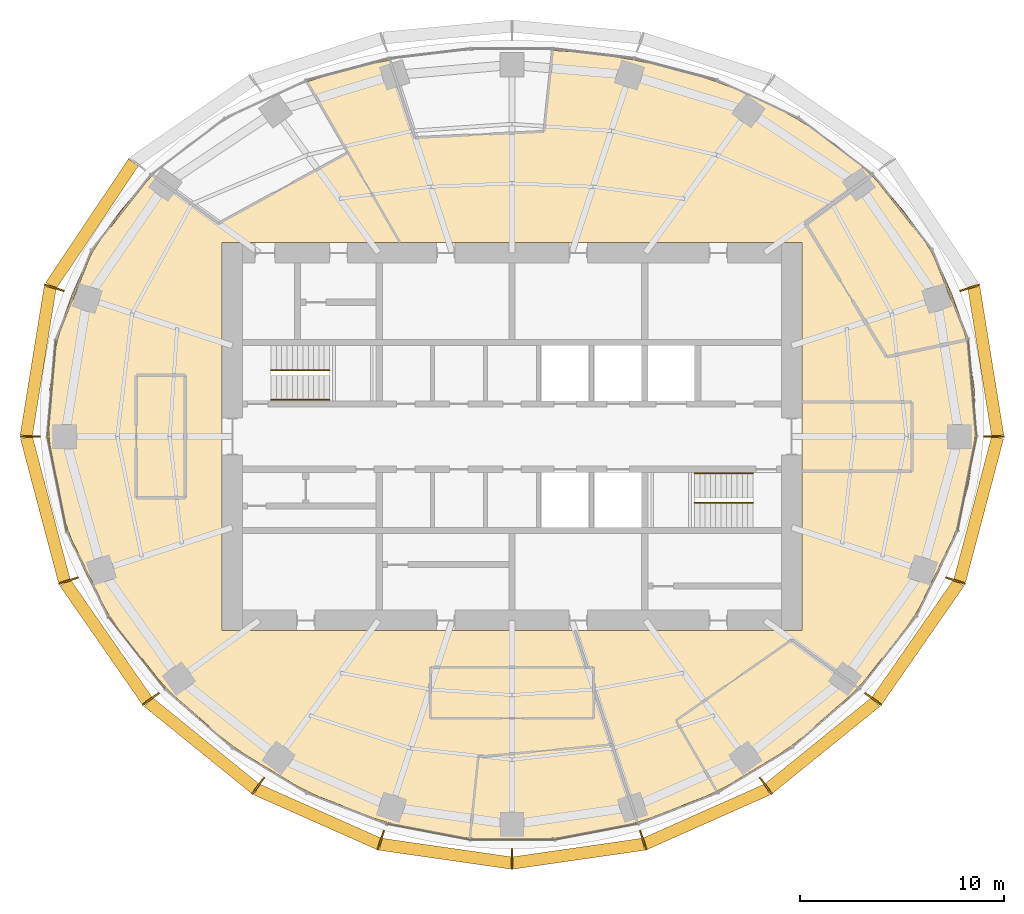
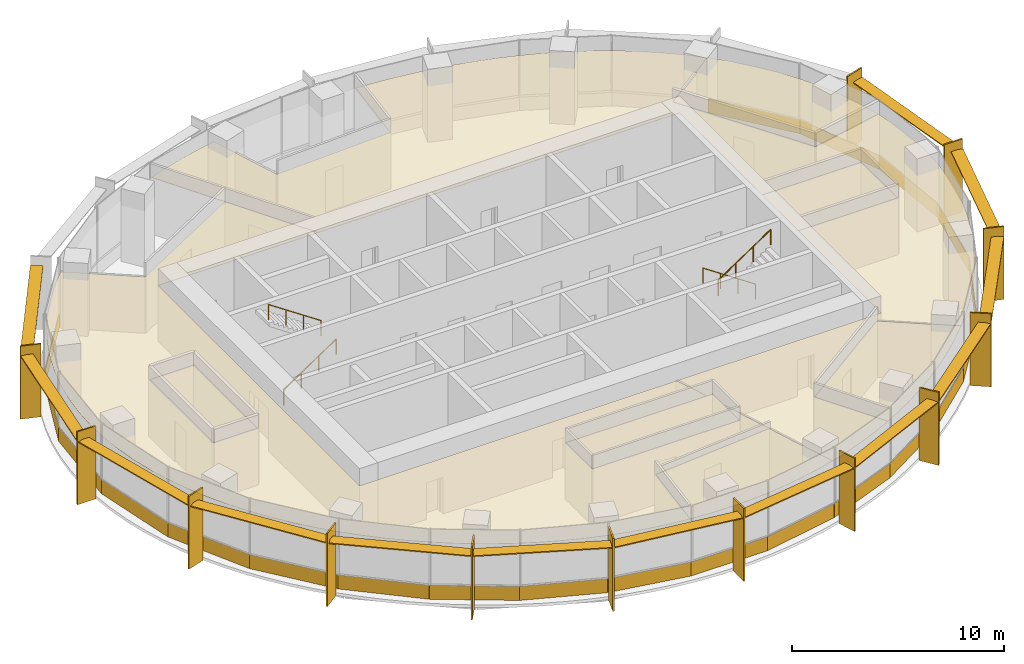
# One storey, part 12 of 13: 29 coverings, 26 shading devices, 4 railings.
"""IFC4 building model written with IfcOpenShell, lengths in metres."""

from ifc_helpers import new_model, si_unit, direction, frame, origin, origin_2d, place, context, subcontext, project, spatial, polyline, rectangle, circle, outline, extrude, material, layer, layer_set, type_object, element, save


model = new_model("IFC4")

# Units and contexts
model_context = context("Model", 3, precision=1e-05, world=origin(), true_north=direction((0.0, 1.0)))
body_context = subcontext(model_context, "Body", "Model", "MODEL_VIEW")
ifc_project = project(units=[si_unit("LENGTHUNIT", "METRE"), si_unit("AREAUNIT", "SQUARE_METRE"), si_unit("VOLUMEUNIT", "CUBIC_METRE"), si_unit("PLANEANGLEUNIT", "RADIAN"), si_unit("MASSUNIT", "GRAM", prefix="KILO")], contexts=[model_context])

# Site, building, storey
site_placement = place(None, origin())
site = spatial("IfcSite", under=ifc_project, at=site_placement, CompositionType="ELEMENT")
building_placement = place(site_placement, origin())
building = spatial("IfcBuilding", under=site, at=building_placement, Name="Marramba Exchange Tower", CompositionType="ELEMENT")
storey_placement = place(building_placement, frame((0.0, 0.0, 260.199951171875)))
storey = spatial("IfcBuildingStorey", under=building, at=storey_placement, Name="L63", CompositionType="ELEMENT", Elevation=260.199951171875)

# Shading devices
ifc_material_1 = material(Name="Aluminium blade, timber-look bronze finish", Category="wood")
ifc_layer_1 = layer(ifc_material_1, 0.080078125)
ifc_layer_set_1 = layer_set([ifc_layer_1], Name="Floor-edge blade 1000x80")
shading_device_type_1 = type_object("IfcShadingDeviceType", Name="Floor-edge blade 1000x80", PredefinedType="USERDEFINED", material=ifc_layer_set_1)
for number, where, z_axis, x_axis, name in (
    (1, (23.60009765625, 0.0, -0.16015625), (0.0, 0.0, 1.0), (1.0, 0.0, 0.0), "Floor-edge blade FB1 L63 TC01"),
    (2, (22.425048828125, 7.286376953125, -0.16015625), (0.0, 0.0, 1.0), (0.951056516295, 0.309016994375, 0.0), "Floor-edge blade FB1 L63 TC02"),
    (3, (-22.425048828125, 7.286376953125, -0.16015625), (0.0, 0.0, 1.0), (-0.951056516295, 0.309016994375, 0.0), "Floor-edge blade FB1 L63 TC10"),
    (4, (-23.60009765625, 0.0, -0.16015625), (0.0, 0.0, 1.0), (-1.0, 0.0, 0.0), "Floor-edge blade FB1 L63 TC11"),
    (5, (-21.72607421875, -7.059326171875, -0.16015625), (0.0, 0.0, 1.0), (-0.951056516295, -0.309016994375, 0.0), "Floor-edge blade FB1 L63 TC12"),
    (6, (-17.690673828125, -12.85302734375, -0.16015625), (0.0, 0.0, 1.0), (-0.809016994375, -0.587785252292, 0.0), "Floor-edge blade FB1 L63 TC13"),
    (7, (-12.4296875, -17.10791015625, -0.16015625), (0.0, 0.0, 1.0), (-0.587785252292, -0.809016994375, 0.0), "Floor-edge blade FB1 L63 TC14"),
    (8, (-6.4248046875, -19.77392578125, -0.16015625), (0.0, 0.0, 1.0), (-0.309016994375, -0.951056516295, 0.0), "Floor-edge blade FB1 L63 TC15"),
    (9, (0.0, -20.696044921875, -0.16015625), (0.0, 0.0, 1.0), (0.0, -1.0, 0.0), "Floor-edge blade FB1 L63 TC16"),
    (10, (6.4248046875, -19.77392578125, -0.16015625), (0.0, 0.0, 1.0), (0.309016994375, -0.951056516295, 0.0), "Floor-edge blade FB1 L63 TC17"),
    (11, (12.4296875, -17.10791015625, -0.16015625), (0.0, 0.0, 1.0), (0.587785252292, -0.809016994375, 0.0), "Floor-edge blade FB1 L63 TC18"),
    (12, (17.690673828125, -12.85302734375, -0.16015625), (0.0, 0.0, 1.0), (0.809016994375, -0.587785252292, 0.0), "Floor-edge blade FB1 L63 TC19"),
    (13, (21.72607421875, -7.059326171875, -0.16015625), (0.0, 0.0, 1.0), (0.951056516295, -0.309016994375, 0.0), "Floor-edge blade FB1 L63 TC20"),
):
    element("IfcShadingDevice", number, at=place(storey_placement, frame(where, z_axis=z_axis, x_axis=x_axis)), inside=storey, type_object=shading_device_type_1, Name=name, ObjectType="FIN", PredefinedType="USERDEFINED", context=body_context, shape_type="SweptSolid", body=[
        extrude(rectangle(XDim=1.0, YDim=0.080078125, at=origin_2d()), origin(), (0.0, 0.0, 1.0), 4.199951171875),
    ])
ifc_material_2 = material(Name="Aluminium sunshade, bronze anodised", Category="aluminium")
ifc_layer_2 = layer(ifc_material_2, 0.06005859375)
ifc_layer_set_2 = layer_set([ifc_layer_2], Name="SUNSHADE blade 600x60")
shading_device_type_2 = type_object("IfcShadingDeviceType", Name="SUNSHADE blade 600x60", PredefinedType="USERDEFINED", material=ifc_layer_set_2)
shading_device_1_placement = place(storey_placement, frame((23.207763671875, 3.674072265625, 3.4599609375), z_axis=(0.0, 0.0, 1.0), x_axis=(-0.159157708434, 0.9872531711, 0.0)))
element("IfcShadingDevice", 14, at=shading_device_1_placement, inside=storey, type_object=shading_device_type_2, Name="Sunshade SS1 L63 bay 01", ObjectType="SUNSHADE", PredefinedType="USERDEFINED", context=body_context, shape_type="SweptSolid", body=[
    extrude(rectangle(XDim=7.363037109375, YDim=0.60009765625, at=origin_2d()), origin(), (0.0, 0.0, 1.0), 0.06005859375),
])
shading_device_2_placement = place(storey_placement, frame((-20.569091796875, 10.40283203125, 3.4599609375), z_axis=(0.0, 0.0, 1.0), x_axis=(-0.556539553467, -0.830821115179, 0.0)))
element("IfcShadingDevice", 15, at=shading_device_2_placement, inside=storey, type_object=shading_device_type_2, Name="Sunshade SS1 L63 bay 09", ObjectType="SUNSHADE", PredefinedType="USERDEFINED", context=body_context, shape_type="SweptSolid", body=[
    extrude(rectangle(XDim=7.2734375, YDim=0.60009765625, at=origin_2d()), origin(), (0.0, 0.0, 1.0), 0.06005859375),
])
shading_device_3_placement = place(storey_placement, frame((-23.207763671875, 3.674072265625, 3.4599609375), z_axis=(0.0, 0.0, 1.0), x_axis=(-0.159157708434, -0.9872531711, 0.0)))
element("IfcShadingDevice", 16, at=shading_device_3_placement, inside=storey, type_object=shading_device_type_2, Name="Sunshade SS1 L63 bay 10", ObjectType="SUNSHADE", PredefinedType="USERDEFINED", context=body_context, shape_type="SweptSolid", body=[
    extrude(rectangle(XDim=7.363037109375, YDim=0.60009765625, at=origin_2d()), origin(), (0.0, 0.0, 1.0), 0.06005859375),
])
shading_device_4_placement = place(storey_placement, frame((-22.858154296875, -3.560546875, 3.4599609375), z_axis=(0.0, 0.0, 1.0), x_axis=(0.25571852004, -0.966751280583, 0.0)))
element("IfcShadingDevice", 17, at=shading_device_4_placement, inside=storey, type_object=shading_device_type_2, Name="Sunshade SS1 L63 bay 11", ObjectType="SUNSHADE", PredefinedType="USERDEFINED", context=body_context, shape_type="SweptSolid", body=[
    extrude(rectangle(XDim=7.285888671875, YDim=0.60009765625, at=origin_2d()), origin(), (0.0, 0.0, 1.0), 0.06005859375),
])
shading_device_5_placement = place(storey_placement, frame((-19.884521484375, -10.0458984375, 3.4599609375), z_axis=(0.0, 0.0, 1.0), x_axis=(0.570557728211, -0.821257498461, 0.0)))
element("IfcShadingDevice", 18, at=shading_device_5_placement, inside=storey, type_object=shading_device_type_2, Name="Sunshade SS1 L63 bay 12", ObjectType="SUNSHADE", PredefinedType="USERDEFINED", context=body_context, shape_type="SweptSolid", body=[
    extrude(rectangle(XDim=7.042724609375, YDim=0.60009765625, at=origin_2d()), origin(), (0.0, 0.0, 1.0), 0.06005859375),
])
shading_device_6_placement = place(storey_placement, frame((-15.199951171875, -15.1201171875, 3.4599609375), z_axis=(0.0, 0.0, 1.0), x_axis=(0.77692769033, -0.629589837909, 0.0)))
element("IfcShadingDevice", 19, at=shading_device_6_placement, inside=storey, type_object=shading_device_type_2, Name="Sunshade SS1 L63 bay 13", ObjectType="SUNSHADE", PredefinedType="USERDEFINED", context=body_context, shape_type="SweptSolid", body=[
    extrude(rectangle(XDim=6.74853515625, YDim=0.60009765625, at=origin_2d()), origin(), (0.0, 0.0, 1.0), 0.06005859375),
])
shading_device_7_placement = place(storey_placement, frame((-9.51708984375, -18.616943359375, 3.4599609375), z_axis=(0.0, 0.0, 1.0), x_axis=(0.913771139733, -0.406229373864, 0.0)))
element("IfcShadingDevice", 20, at=shading_device_7_placement, inside=storey, type_object=shading_device_type_2, Name="Sunshade SS1 L63 bay 14", ObjectType="SUNSHADE", PredefinedType="USERDEFINED", context=body_context, shape_type="SweptSolid", body=[
    extrude(rectangle(XDim=6.552490234375, YDim=0.60009765625, at=origin_2d()), origin(), (0.0, 0.0, 1.0), 0.06005859375),
])
for number, where, z_axis, x_axis, name in (
    (21, (-3.243408203125, -20.429931640625, 3.4599609375), (0.0, 0.0, 1.0), (0.989836541125, -0.142209781145, 0.0), "Sunshade SS1 L63 bay 15"),
    (22, (3.243408203125, -20.429931640625, 3.4599609375), (0.0, 0.0, 1.0), (0.989836541125, 0.142209781145, 0.0), "Sunshade SS1 L63 bay 16"),
):
    element("IfcShadingDevice", number, at=place(storey_placement, frame(where, z_axis=z_axis, x_axis=x_axis)), inside=storey, type_object=shading_device_type_2, Name=name, ObjectType="SUNSHADE", PredefinedType="USERDEFINED", context=body_context, shape_type="SweptSolid", body=[
        extrude(rectangle(XDim=6.473388671875, YDim=0.60009765625, at=origin_2d()), origin(), (0.0, 0.0, 1.0), 0.06005859375),
    ])
shading_device_8_placement = place(storey_placement, frame((9.51708984375, -18.616943359375, 3.4599609375), z_axis=(0.0, 0.0, 1.0), x_axis=(0.913771139733, 0.406229373864, 0.0)))
element("IfcShadingDevice", 23, at=shading_device_8_placement, inside=storey, type_object=shading_device_type_2, Name="Sunshade SS1 L63 bay 17", ObjectType="SUNSHADE", PredefinedType="USERDEFINED", context=body_context, shape_type="SweptSolid", body=[
    extrude(rectangle(XDim=6.552490234375, YDim=0.60009765625, at=origin_2d()), origin(), (0.0, 0.0, 1.0), 0.06005859375),
])
shading_device_9_placement = place(storey_placement, frame((15.199951171875, -15.1201171875, 3.4599609375), z_axis=(0.0, 0.0, 1.0), x_axis=(0.77692769033, 0.629589837909, 0.0)))
element("IfcShadingDevice", 24, at=shading_device_9_placement, inside=storey, type_object=shading_device_type_2, Name="Sunshade SS1 L63 bay 18", ObjectType="SUNSHADE", PredefinedType="USERDEFINED", context=body_context, shape_type="SweptSolid", body=[
    extrude(rectangle(XDim=6.74853515625, YDim=0.60009765625, at=origin_2d()), origin(), (0.0, 0.0, 1.0), 0.06005859375),
])
shading_device_10_placement = place(storey_placement, frame((19.884521484375, -10.0458984375, 3.4599609375), z_axis=(0.0, 0.0, 1.0), x_axis=(0.570557728211, 0.821257498461, 0.0)))
element("IfcShadingDevice", 25, at=shading_device_10_placement, inside=storey, type_object=shading_device_type_2, Name="Sunshade SS1 L63 bay 19", ObjectType="SUNSHADE", PredefinedType="USERDEFINED", context=body_context, shape_type="SweptSolid", body=[
    extrude(rectangle(XDim=7.042724609375, YDim=0.60009765625, at=origin_2d()), origin(), (0.0, 0.0, 1.0), 0.06005859375),
])
shading_device_11_placement = place(storey_placement, frame((22.858154296875, -3.560546875, 3.4599609375), z_axis=(0.0, 0.0, 1.0), x_axis=(0.25571852004, 0.966751280583, 0.0)))
element("IfcShadingDevice", 26, at=shading_device_11_placement, inside=storey, type_object=shading_device_type_2, Name="Sunshade SS1 L63 bay 20", ObjectType="SUNSHADE", PredefinedType="USERDEFINED", context=body_context, shape_type="SweptSolid", body=[
    extrude(rectangle(XDim=7.285888671875, YDim=0.60009765625, at=origin_2d()), origin(), (0.0, 0.0, 1.0), 0.06005859375),
])

# Coverings
ifc_material_3 = material(Name="Aluminium spandrel panel, bronze anodised, insulated", Category="aluminium")
ifc_layer_3 = layer(ifc_material_3, 0.050048828125)
ifc_layer_set_3 = layer_set([ifc_layer_3], Name="Spandrel panel 800")
covering_type_1 = type_object("IfcCoveringType", Name="Spandrel panel 800", PredefinedType="CLADDING", material=ifc_layer_set_3)
covering_1_placement = place(storey_placement, frame((22.546142578125, 2.37451171875, 0.0), z_axis=(0.0, 0.0, 1.0), x_axis=(-0.085574001482, 0.996331817353, 0.0)))
element("IfcCovering", 27, at=covering_1_placement, inside=storey, type_object=covering_type_1, Name="Spandrel panel SP1 L63 F01", PredefinedType="CLADDING", context=body_context, shape_type="SweptSolid", body=[
    extrude(rectangle(XDim=4.766357421875, YDim=0.050048828125, at=origin_2d()), origin(), (0.0, 0.0, 1.0), 0.800048828125),
])
covering_2_placement = place(storey_placement, frame((21.455810546875, 6.95361328125, 0.0), z_axis=(0.0, 0.0, 1.0), x_axis=(-0.37298308637, 0.927838141748, 0.0)))
element("IfcCovering", 28, at=covering_2_placement, inside=storey, type_object=covering_type_1, Name="Spandrel panel SP1 L63 F02", PredefinedType="CLADDING", context=body_context, shape_type="SweptSolid", body=[
    extrude(rectangle(XDim=4.752197265625, YDim=0.050048828125, at=origin_2d()), origin(), (0.0, 0.0, 1.0), 0.800048828125),
])
for number, where, z_axis, x_axis, name in (
    (29, (19.12158203125, 10.999267578125, 0.0), (0.0, 0.0, 1.0), (-0.618222858348, 0.786002860946, 0.0), "Spandrel panel SP1 L63 F03"),
    (30, (-19.12158203125, 10.999267578125, 0.0), (0.0, 0.0, 1.0), (-0.618222858348, -0.786002860946, 0.0), "Spandrel panel SP1 L63 F13"),
):
    element("IfcCovering", number, at=place(storey_placement, frame(where, z_axis=z_axis, x_axis=x_axis)), inside=storey, type_object=covering_type_1, Name=name, PredefinedType="CLADDING", context=body_context, shape_type="SweptSolid", body=[
        extrude(rectangle(XDim=4.684814453125, YDim=0.050048828125, at=origin_2d()), origin(), (0.0, 0.0, 1.0), 0.800048828125),
    ])
covering_3_placement = place(storey_placement, frame((-21.455810546875, 6.95361328125, 0.0), z_axis=(0.0, 0.0, 1.0), x_axis=(-0.37298308637, -0.927838141748, 0.0)))
element("IfcCovering", 31, at=covering_3_placement, inside=storey, type_object=covering_type_1, Name="Spandrel panel SP1 L63 F14", PredefinedType="CLADDING", context=body_context, shape_type="SweptSolid", body=[
    extrude(rectangle(XDim=4.752197265625, YDim=0.050048828125, at=origin_2d()), origin(), (0.0, 0.0, 1.0), 0.800048828125),
])
covering_4_placement = place(storey_placement, frame((-22.546142578125, 2.37451171875, 0.0), z_axis=(0.0, 0.0, 1.0), x_axis=(-0.085574001482, -0.996331817353, 0.0)))
element("IfcCovering", 32, at=covering_4_placement, inside=storey, type_object=covering_type_1, Name="Spandrel panel SP1 L63 F15", PredefinedType="CLADDING", context=body_context, shape_type="SweptSolid", body=[
    extrude(rectangle(XDim=4.766357421875, YDim=0.050048828125, at=origin_2d()), origin(), (0.0, 0.0, 1.0), 0.800048828125),
])
covering_5_placement = place(storey_placement, frame((-22.282470703125, -2.318359375, 0.0), z_axis=(0.0, 0.0, 1.0), x_axis=(0.197670531369, -0.980268514759, 0.0)))
element("IfcCovering", 33, at=covering_5_placement, inside=storey, type_object=covering_type_1, Name="Spandrel panel SP1 L63 F16", PredefinedType="CLADDING", context=body_context, shape_type="SweptSolid", body=[
    extrude(rectangle(XDim=4.730224609375, YDim=0.050048828125, at=origin_2d()), origin(), (0.0, 0.0, 1.0), 0.800048828125),
])
covering_6_placement = place(storey_placement, frame((-20.802490234375, -6.723876953125, 0.0), z_axis=(0.0, 0.0, 1.0), x_axis=(0.436514592932, -0.89969717692, 0.0)))
element("IfcCovering", 34, at=covering_6_placement, inside=storey, type_object=covering_type_1, Name="Spandrel panel SP1 L63 F17", PredefinedType="CLADDING", context=body_context, shape_type="SweptSolid", body=[
    extrude(rectangle(XDim=4.639404296875, YDim=0.050048828125, at=origin_2d()), origin(), (0.0, 0.0, 1.0), 0.800048828125),
])
covering_7_placement = place(storey_placement, frame((-18.396484375, -10.582275390625, 0.0), z_axis=(0.0, 0.0, 1.0), x_axis=(0.618290638357, -0.785949544513, 0.0)))
element("IfcCovering", 35, at=covering_7_placement, inside=storey, type_object=covering_type_1, Name="Spandrel panel SP1 L63 F18", PredefinedType="CLADDING", context=body_context, shape_type="SweptSolid", body=[
    extrude(rectangle(XDim=4.50732421875, YDim=0.050048828125, at=origin_2d()), origin(), (0.0, 0.0, 1.0), 0.800048828125),
])
covering_8_placement = place(storey_placement, frame((-15.358154296875, -13.791748046875, 0.0), z_axis=(0.0, 0.0, 1.0), x_axis=(0.752751054625, -0.658305286141, 0.0)))
element("IfcCovering", 36, at=covering_8_placement, inside=storey, type_object=covering_type_1, Name="Spandrel panel SP1 L63 F19", PredefinedType="CLADDING", context=body_context, shape_type="SweptSolid", body=[
    extrude(rectangle(XDim=4.3701171875, YDim=0.050048828125, at=origin_2d()), origin(), (0.0, 0.0, 1.0), 0.800048828125),
])
covering_9_placement = place(storey_placement, frame((-11.89208984375, -16.336669921875, 0.0), z_axis=(0.0, 0.0, 1.0), x_axis=(0.854704332048, -0.519115117077, 0.0)))
element("IfcCovering", 37, at=covering_9_placement, inside=storey, type_object=covering_type_1, Name="Spandrel panel SP1 L63 F20", PredefinedType="CLADDING", context=body_context, shape_type="SweptSolid", body=[
    extrude(rectangle(XDim=4.261962890625, YDim=0.050048828125, at=origin_2d()), origin(), (0.0, 0.0, 1.0), 0.800048828125),
])
covering_10_placement = place(storey_placement, frame((-8.116455078125, -18.2041015625, 0.0), z_axis=(0.0, 0.0, 1.0), x_axis=(0.931785135173, -0.363010277914, 0.0)))
element("IfcCovering", 38, at=covering_10_placement, inside=storey, type_object=covering_type_1, Name="Spandrel panel SP1 L63 F21", PredefinedType="CLADDING", context=body_context, shape_type="SweptSolid", body=[
    extrude(rectangle(XDim=4.194580078125, YDim=0.050048828125, at=origin_2d()), origin(), (0.0, 0.0, 1.0), 0.800048828125),
])
covering_11_placement = place(storey_placement, frame((-4.118896484375, -19.356201171875, 0.0), z_axis=(0.0, 0.0, 1.0), x_axis=(0.982193292652, -0.187873190928, 0.0)))
element("IfcCovering", 39, at=covering_11_placement, inside=storey, type_object=covering_type_1, Name="Spandrel panel SP1 L63 F22", PredefinedType="CLADDING", context=body_context, shape_type="SweptSolid", body=[
    extrude(rectangle(XDim=4.160888671875, YDim=0.050048828125, at=origin_2d()), origin(), (0.0, 0.0, 1.0), 0.800048828125),
])
covering_12_placement = place(storey_placement, frame((0.0, -19.7470703125, 0.0), z_axis=(0.0, 0.0, 1.0), x_axis=(1.0, 0.0, 0.0)))
element("IfcCovering", 40, at=covering_12_placement, inside=storey, type_object=covering_type_1, Name="Spandrel panel SP1 L63 F23", PredefinedType="CLADDING", context=body_context, shape_type="SweptSolid", body=[
    extrude(rectangle(XDim=4.151123046875, YDim=0.050048828125, at=origin_2d()), origin(), (0.0, 0.0, 1.0), 0.800048828125),
])
covering_13_placement = place(storey_placement, frame((4.118896484375, -19.356201171875, 0.0), z_axis=(0.0, 0.0, 1.0), x_axis=(0.982193292652, 0.187873190928, 0.0)))
element("IfcCovering", 41, at=covering_13_placement, inside=storey, type_object=covering_type_1, Name="Spandrel panel SP1 L63 F24", PredefinedType="CLADDING", context=body_context, shape_type="SweptSolid", body=[
    extrude(rectangle(XDim=4.160888671875, YDim=0.050048828125, at=origin_2d()), origin(), (0.0, 0.0, 1.0), 0.800048828125),
])
covering_14_placement = place(storey_placement, frame((8.116455078125, -18.2041015625, 0.0), z_axis=(0.0, 0.0, 1.0), x_axis=(0.931785135173, 0.363010277914, 0.0)))
element("IfcCovering", 42, at=covering_14_placement, inside=storey, type_object=covering_type_1, Name="Spandrel panel SP1 L63 F25", PredefinedType="CLADDING", context=body_context, shape_type="SweptSolid", body=[
    extrude(rectangle(XDim=4.194580078125, YDim=0.050048828125, at=origin_2d()), origin(), (0.0, 0.0, 1.0), 0.800048828125),
])
covering_15_placement = place(storey_placement, frame((11.89208984375, -16.336669921875, 0.0), z_axis=(0.0, 0.0, 1.0), x_axis=(0.854704332048, 0.519115117077, 0.0)))
element("IfcCovering", 43, at=covering_15_placement, inside=storey, type_object=covering_type_1, Name="Spandrel panel SP1 L63 F26", PredefinedType="CLADDING", context=body_context, shape_type="SweptSolid", body=[
    extrude(rectangle(XDim=4.261962890625, YDim=0.050048828125, at=origin_2d()), origin(), (0.0, 0.0, 1.0), 0.800048828125),
])
covering_16_placement = place(storey_placement, frame((15.358154296875, -13.791748046875, 0.0), z_axis=(0.0, 0.0, 1.0), x_axis=(0.752751054625, 0.658305286141, 0.0)))
element("IfcCovering", 44, at=covering_16_placement, inside=storey, type_object=covering_type_1, Name="Spandrel panel SP1 L63 F27", PredefinedType="CLADDING", context=body_context, shape_type="SweptSolid", body=[
    extrude(rectangle(XDim=4.3701171875, YDim=0.050048828125, at=origin_2d()), origin(), (0.0, 0.0, 1.0), 0.800048828125),
])
covering_17_placement = place(storey_placement, frame((18.396484375, -10.582275390625, 0.0), z_axis=(0.0, 0.0, 1.0), x_axis=(0.618290638357, 0.785949544513, 0.0)))
element("IfcCovering", 45, at=covering_17_placement, inside=storey, type_object=covering_type_1, Name="Spandrel panel SP1 L63 F28", PredefinedType="CLADDING", context=body_context, shape_type="SweptSolid", body=[
    extrude(rectangle(XDim=4.50732421875, YDim=0.050048828125, at=origin_2d()), origin(), (0.0, 0.0, 1.0), 0.800048828125),
])
covering_18_placement = place(storey_placement, frame((20.802490234375, -6.723876953125, 0.0), z_axis=(0.0, 0.0, 1.0), x_axis=(0.436514592932, 0.89969717692, 0.0)))
element("IfcCovering", 46, at=covering_18_placement, inside=storey, type_object=covering_type_1, Name="Spandrel panel SP1 L63 F29", PredefinedType="CLADDING", context=body_context, shape_type="SweptSolid", body=[
    extrude(rectangle(XDim=4.639404296875, YDim=0.050048828125, at=origin_2d()), origin(), (0.0, 0.0, 1.0), 0.800048828125),
])
covering_19_placement = place(storey_placement, frame((22.282470703125, -2.318359375, 0.0), z_axis=(0.0, 0.0, 1.0), x_axis=(0.197670531369, 0.980268514759, 0.0)))
element("IfcCovering", 47, at=covering_19_placement, inside=storey, type_object=covering_type_1, Name="Spandrel panel SP1 L63 F30", PredefinedType="CLADDING", context=body_context, shape_type="SweptSolid", body=[
    extrude(rectangle(XDim=4.730224609375, YDim=0.050048828125, at=origin_2d()), origin(), (0.0, 0.0, 1.0), 0.800048828125),
])

# Railings
ifc_material_4 = material(Name="Stainless steel handrail", Category="steel")
railing_type = type_object("IfcRailingType", Name="Stair handrail 900", PredefinedType="HANDRAIL", material=ifc_material_4)
railing_1_placement = place(storey_placement, frame((-11.800048828125, 1.800048828125, 0.175048828125)))
element("IfcRailing", 48, at=railing_1_placement, inside=storey, type_object=railing_type, Name="Handrail HR1 ST1 L63 flight 1", PredefinedType="HANDRAIL", context=body_context, shape_type="SweptSolid", body=[
    extrude(circle(Radius=0.02392578125, at=origin_2d()), frame((0.0, 0.0, 0.8759765625), z_axis=(0.829590901723, 0.0, 0.558371682465), x_axis=(0.0, 1.0, 0.0)), (0.0, 0.0, 1.0), 3.447509765625),
    extrude(circle(Radius=0.02099609375, at=origin_2d()), origin(), (0.0, 0.0, 1.0), 0.851806640625),
    extrude(circle(Radius=0.02099609375, at=origin_2d()), frame((0.953369140625, 0.0, 0.6416015625)), (0.0, 0.0, 1.0), 0.851806640625),
    extrude(circle(Radius=0.02099609375, at=origin_2d()), frame((1.90673828125, 0.0, 1.283447265625)), (0.0, 0.0, 1.0), 0.851806640625),
    extrude(circle(Radius=0.02099609375, at=origin_2d()), frame((2.860107421875, 0.0, 1.925048828125)), (0.0, 0.0, 1.0), 0.851806640625),
])
railing_2_placement = place(storey_placement, frame((-8.93994140625, 3.25, 2.275146484375)))
element("IfcRailing", 49, at=railing_2_placement, inside=storey, type_object=railing_type, Name="Handrail HR1 ST1 L63 flight 2", PredefinedType="HANDRAIL", context=body_context, shape_type="SweptSolid", body=[
    extrude(circle(Radius=0.02392578125, at=origin_2d()), frame((0.0, 0.0, 0.8759765625), z_axis=(-0.829623704247, 0.0, 0.558322943601), x_axis=(0.0, -1.0, 0.0)), (0.0, 0.0, 1.0), 3.447509765625),
    extrude(circle(Radius=0.02099609375, at=origin_2d()), origin(), (0.0, 0.0, 1.0), 0.851806640625),
    extrude(circle(Radius=0.02099609375, at=origin_2d()), frame((-0.953369140625, 0.0, 0.6416015625)), (0.0, 0.0, 1.0), 0.851806640625),
    extrude(circle(Radius=0.02099609375, at=origin_2d()), frame((-1.90673828125, 0.0, 1.283203125)), (0.0, 0.0, 1.0), 0.851806640625),
    extrude(circle(Radius=0.02099609375, at=origin_2d()), frame((-2.860107421875, 0.0, 1.9248046875)), (0.0, 0.0, 1.0), 0.851806640625),
])
railing_3_placement = place(storey_placement, frame((11.800048828125, -1.800048828125, 0.175048828125)))
element("IfcRailing", 50, at=railing_3_placement, inside=storey, type_object=railing_type, Name="Handrail HR1 ST2 L63 flight 1", PredefinedType="HANDRAIL", context=body_context, shape_type="SweptSolid", body=[
    extrude(circle(Radius=0.02392578125, at=origin_2d()), frame((0.0, 0.0, 0.8759765625), z_axis=(-0.829590901723, 0.0, 0.558371682465), x_axis=(0.0, -1.0, 0.0)), (0.0, 0.0, 1.0), 3.447509765625),
    extrude(circle(Radius=0.02099609375, at=origin_2d()), origin(), (0.0, 0.0, 1.0), 0.851806640625),
    extrude(circle(Radius=0.02099609375, at=origin_2d()), frame((-0.953369140625, 0.0, 0.6416015625)), (0.0, 0.0, 1.0), 0.851806640625),
    extrude(circle(Radius=0.02099609375, at=origin_2d()), frame((-1.90673828125, 0.0, 1.283447265625)), (0.0, 0.0, 1.0), 0.851806640625),
    extrude(circle(Radius=0.02099609375, at=origin_2d()), frame((-2.860107421875, 0.0, 1.925048828125)), (0.0, 0.0, 1.0), 0.851806640625),
])
railing_4_placement = place(storey_placement, frame((8.93994140625, -3.25, 2.275146484375)))
element("IfcRailing", 51, at=railing_4_placement, inside=storey, type_object=railing_type, Name="Handrail HR1 ST2 L63 flight 2", PredefinedType="HANDRAIL", context=body_context, shape_type="SweptSolid", body=[
    extrude(circle(Radius=0.02392578125, at=origin_2d()), frame((0.0, 0.0, 0.8759765625), z_axis=(0.829623704247, 0.0, 0.558322943601), x_axis=(0.0, 1.0, 0.0)), (0.0, 0.0, 1.0), 3.447509765625),
    extrude(circle(Radius=0.02099609375, at=origin_2d()), origin(), (0.0, 0.0, 1.0), 0.851806640625),
    extrude(circle(Radius=0.02099609375, at=origin_2d()), frame((0.953369140625, 0.0, 0.6416015625)), (0.0, 0.0, 1.0), 0.851806640625),
    extrude(circle(Radius=0.02099609375, at=origin_2d()), frame((1.90673828125, 0.0, 1.283203125)), (0.0, 0.0, 1.0), 0.851806640625),
    extrude(circle(Radius=0.02099609375, at=origin_2d()), frame((2.860107421875, 0.0, 1.9248046875)), (0.0, 0.0, 1.0), 0.851806640625),
])

# Coverings
ifc_material_5 = material(Name="Mineral fibre ceiling tiles", Category="gypsum")
ifc_layer_4 = layer(ifc_material_5, 0.02001953125)
ifc_layer_set_4 = layer_set([ifc_layer_4], Name="Suspended ceiling 20")
covering_type_2 = type_object("IfcCoveringType", Name="Suspended ceiling 20", PredefinedType="CEILING", material=ifc_layer_set_4)
covering_20_placement = place(storey_placement, frame((0.0, 0.0, 3.199951171875)))
element("IfcCovering", 52, at=covering_20_placement, inside=storey, type_object=covering_type_2, Name="Ceiling CL1 L63 Executive Lounge", PredefinedType="CEILING", context=body_context, shape_type="SweptSolid", body=[
    extrude(outline(polyline([(14.199951171875, -1.699951171875), (19.60009765625, -1.699951171875), (19.60009765625, 1.699951171875), (14.199951171875, 1.699951171875), (14.199951171875, 9.5), (-5.48486328125, 9.5), (-10.030517578125, 17.37353515625), (-9.021240234375, 17.705078125), (-8.010498046875, 17.99169921875), (-7.0, 18.23583984375), (-5.99169921875, 18.44091796875), (-4.755615234375, 14.63671875), (1.5703125, 14.939208984375), (1.98828125, 18.91748046875), (2.98486328125, 18.845703125), (3.984130859375, 18.74365234375), (4.986328125, 18.609375), (5.99169921875, 18.44091796875), (7.0, 18.23583984375), (8.010498046875, 17.99169921875), (9.021240234375, 17.705078125), (10.030517578125, 17.37353515625), (11.035888671875, 16.993896484375), (12.033935546875, 16.563232421875), (13.020751953125, 16.079345703125), (13.99169921875, 15.539306640625), (14.94189453125, 14.94189453125), (15.865478515625, 14.285400390625), (16.756591796875, 13.569091796875), (17.608642578125, 12.79345703125), (14.37255859375, 10.4423828125), (18.351318359375, 3.900634765625), (22.263916015625, 4.732421875), (22.4970703125, 3.563232421875), (22.642333984375, 2.3798828125), (22.69970703125, 1.189697265625), (22.669921875, 0.0), (22.555419921875, -1.18212890625), (22.35888671875, -2.35009765625), (22.08447265625, -3.497802734375), (21.73681640625, -4.620361328125), (21.32080078125, -5.712890625), (20.841796875, -6.77197265625), (20.305419921875, -7.79443359375), (19.716796875, -8.7783203125), (19.081298828125, -9.722412109375), (18.403564453125, -10.625244140625), (17.68798828125, -11.48681640625), (16.938232421875, -12.306396484375), (13.7021484375, -9.955322265625), (8.030517578125, -13.909423828125), (10.030517578125, -17.37353515625), (9.0791015625, -17.818603515625), (8.1123046875, -18.22021484375), (7.131103515625, -18.577392578125), (6.137451171875, -18.889404296875), (4.0, -12.310791015625), (4.0, -11.300048828125), (3.671630859375, -11.300048828125), (3.086669921875, -9.5), (14.199951171875, -9.5), (14.199951171875, -1.699951171875)])), origin(), (0.0, 0.0, 1.0), 0.02001953125),
])
covering_21_placement = place(storey_placement, frame((0.0, 0.0, 3.199951171875)))
element("IfcCovering", 53, at=covering_21_placement, inside=storey, type_object=covering_type_2, Name="Ceiling CL1 L63 Directors' Lounge", PredefinedType="CEILING", context=body_context, shape_type="SweptSolid", body=[
    extrude(outline(polyline([(-14.199951171875, -9.5), (3.086669921875, -9.5), (3.671630859375, -11.300048828125), (-4.0, -11.300048828125), (-4.0, -13.800048828125), (4.0, -13.800048828125), (4.0, -12.310791015625), (4.9013671875, -15.085205078125), (-1.64892578125, -15.689453125), (-2.067138671875, -19.66748046875), (-3.095703125, -19.544921875), (-4.1181640625, -19.373779296875), (-5.132568359375, -19.155029296875), (-6.137451171875, -18.889404296875), (-7.131103515625, -18.577392578125), (-8.1123046875, -18.22021484375), (-9.0791015625, -17.818603515625), (-10.030517578125, -17.37353515625), (-10.9658203125, -16.885498046875), (-11.883056640625, -16.355712890625), (-12.781494140625, -15.783935546875), (-13.659912109375, -15.1708984375), (-14.5166015625, -14.5166015625), (-15.35009765625, -13.8212890625), (-16.158203125, -13.08447265625), (-16.938232421875, -12.306396484375), (-17.68798828125, -11.48681640625), (-18.403564453125, -10.625244140625), (-19.081298828125, -9.722412109375), (-19.716796875, -8.7783203125), (-20.305419921875, -7.79443359375), (-20.841796875, -6.77197265625), (-21.32080078125, -5.712890625), (-21.73681640625, -4.620361328125), (-22.08447265625, -3.497802734375), (-22.35888671875, -2.35009765625), (-22.555419921875, -1.18212890625), (-22.669921875, 0.0), (-22.69970703125, 1.189697265625), (-22.642333984375, 2.3798828125), (-22.4970703125, 3.563232421875), (-22.263916015625, 4.732421875), (-21.9443359375, 5.8798828125), (-21.540771484375, 6.9990234375), (-21.056640625, 8.0830078125), (-20.49658203125, 9.125732421875), (-19.86572265625, 10.1220703125), (-19.169921875, 11.067626953125), (-18.415283203125, 11.958984375), (-17.608642578125, 12.79345703125), (-14.37255859375, 10.4423828125), (-8.030517578125, 13.909423828125), (-5.48486328125, 9.5), (-14.199951171875, 9.5), (-14.199951171875, -9.5)]), holes=[polyline([(-18.39990234375, -3.0), (-16.0, -3.0), (-16.0, 3.0), (-18.39990234375, 3.0), (-18.39990234375, -3.0)])]), origin(), (0.0, 0.0, 1.0), 0.02001953125),
])
covering_22_placement = place(storey_placement, frame((0.0, 0.0, 3.199951171875)))
element("IfcCovering", 54, at=covering_22_placement, inside=storey, type_object=covering_type_2, Name="Ceiling CL1 L63 Corridor", PredefinedType="CEILING", context=body_context, shape_type="SweptSolid", body=[
    extrude(outline(polyline([(14.199951171875, -1.699951171875), (14.199951171875, 1.699951171875), (19.60009765625, 1.699951171875), (19.60009765625, -1.699951171875), (14.199951171875, -1.699951171875)])), origin(), (0.0, 0.0, 1.0), 0.02001953125),
])
covering_23_placement = place(storey_placement, frame((0.0, 0.0, 3.199951171875)))
element("IfcCovering", 55, at=covering_23_placement, inside=storey, type_object=covering_type_2, Name="Ceiling CL1 L63 Boardroom", PredefinedType="CEILING", context=body_context, shape_type="SweptSolid", body=[
    extrude(outline(polyline([(17.793701171875, 12.60205078125), (18.415283203125, 11.958984375), (18.61181640625, 11.726806640625), (19.169921875, 11.067626953125), (19.562744140625, 10.53369140625), (19.86572265625, 10.1220703125), (20.49658203125, 9.125732421875), (20.89794921875, 8.37841796875), (21.056640625, 8.0830078125), (21.35400390625, 7.416748046875), (21.540771484375, 6.9990234375), (21.9443359375, 5.8798828125), (22.263916015625, 4.732421875), (18.351318359375, 3.900634765625), (14.37255859375, 10.4423828125), (17.608642578125, 12.79345703125), (17.793701171875, 12.60205078125)])), origin(), (0.0, 0.0, 1.0), 0.02001953125),
])
covering_24_placement = place(storey_placement, frame((0.0, 0.0, 3.199951171875)))
element("IfcCovering", 56, at=covering_24_placement, inside=storey, type_object=covering_type_2, Name="Ceiling CL1 L63 Executive Office 3", PredefinedType="CEILING", context=body_context, shape_type="SweptSolid", body=[
    extrude(outline(polyline([(5.132568359375, -19.155029296875), (4.1181640625, -19.373779296875), (3.095703125, -19.544921875), (2.130126953125, -19.66015625), (2.067138671875, -19.66748046875), (1.03466796875, -19.741455078125), (0.0, -19.76611328125), (-1.03466796875, -19.741455078125), (-2.067138671875, -19.66748046875), (-1.64892578125, -15.689453125), (4.9013671875, -15.085205078125), (6.137451171875, -18.889404296875), (5.69287109375, -19.007080078125), (5.132568359375, -19.155029296875)])), origin(), (0.0, 0.0, 1.0), 0.02001953125),
])
covering_25_placement = place(storey_placement, frame((0.0, 0.0, 3.199951171875)))
element("IfcCovering", 57, at=covering_25_placement, inside=storey, type_object=covering_type_2, Name="Ceiling CL1 L63 Executive Office 4", PredefinedType="CEILING", context=body_context, shape_type="SweptSolid", body=[
    extrude(outline(polyline([(16.216796875, -13.02587890625), (16.158203125, -13.08447265625), (15.35009765625, -13.8212890625), (14.5166015625, -14.5166015625), (13.659912109375, -15.1708984375), (12.781494140625, -15.783935546875), (11.947509765625, -16.314697265625), (11.883056640625, -16.355712890625), (10.9658203125, -16.885498046875), (10.927490234375, -16.905517578125), (10.030517578125, -17.37353515625), (8.030517578125, -13.909423828125), (13.7021484375, -9.955322265625), (16.938232421875, -12.306396484375), (16.216796875, -13.02587890625)])), origin(), (0.0, 0.0, 1.0), 0.02001953125),
])
covering_26_placement = place(storey_placement, frame((0.0, 0.0, 3.199951171875)))
element("IfcCovering", 58, at=covering_26_placement, inside=storey, type_object=covering_type_2, Name="Ceiling CL1 L63 Meeting Room", PredefinedType="CEILING", context=body_context, shape_type="SweptSolid", body=[
    extrude(outline(polyline([(-16.0, -3.0), (-18.39990234375, -3.0), (-18.39990234375, 3.0), (-16.0, 3.0), (-16.0, -3.0)])), origin(), (0.0, 0.0, 1.0), 0.02001953125),
])
covering_27_placement = place(storey_placement, frame((0.0, 0.0, 3.199951171875)))
element("IfcCovering", 59, at=covering_27_placement, inside=storey, type_object=covering_type_2, Name="Ceiling CL1 L63 Pantry", PredefinedType="CEILING", context=body_context, shape_type="SweptSolid", body=[
    extrude(outline(polyline([(4.0, -11.300048828125), (4.0, -13.800048828125), (-4.0, -13.800048828125), (-4.0, -11.300048828125), (4.0, -11.300048828125)])), origin(), (0.0, 0.0, 1.0), 0.02001953125),
])

save(model, "model.ifc")
